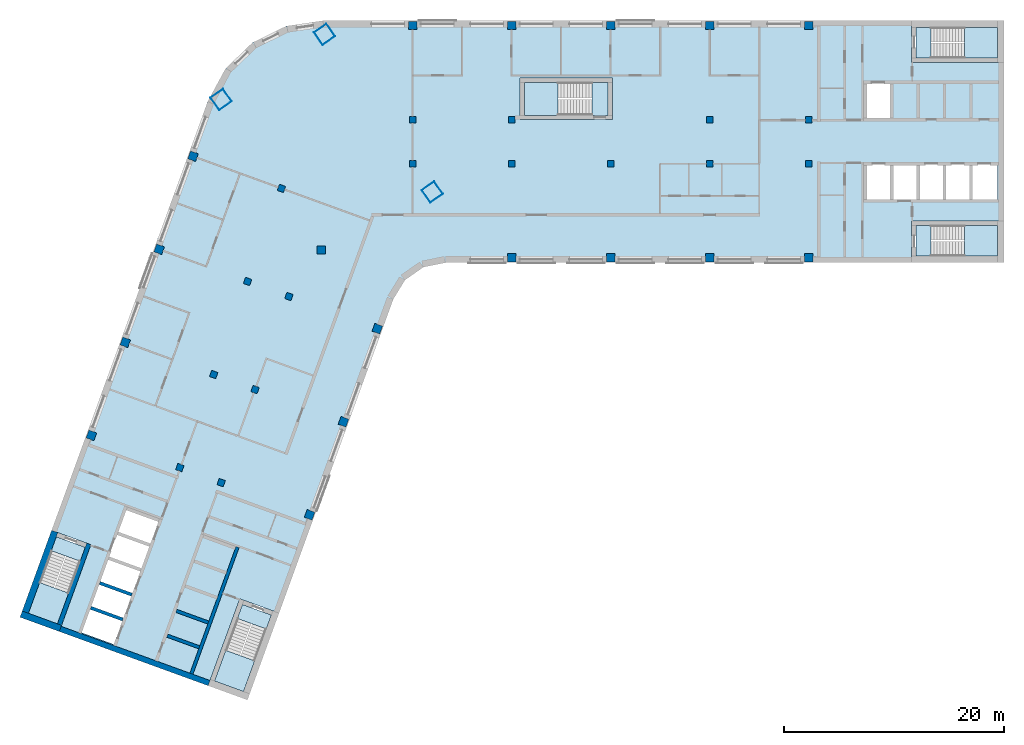
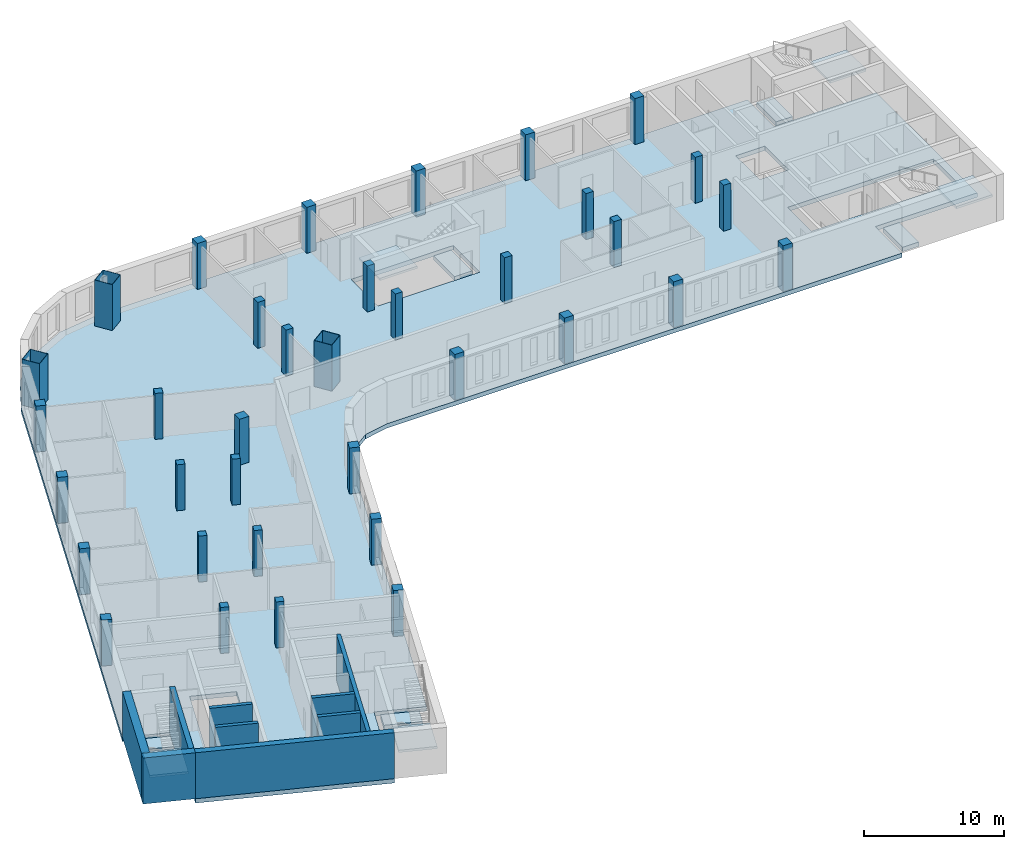
# One storey, part 1 of 8: 36 columns, 11 slabs, 9 walls, 5 elements without a shape of their own.
"""IFC4 building model written with IfcOpenShell, lengths in metres."""

from ifc_helpers import new_model, si_unit, direction, frame, frame_2d, origin, origin_2d, place, context, subcontext, project, spatial, polyline, rectangle, hollow_rectangle, outline, extrude, material, layer, layer_set, material_profile, profile_set, type_object, element, aggregate, save


model = new_model("IFC4")

# Units and contexts
model_context = context("Model", 3, precision=1e-05, world=origin(), true_north=direction((0.0, 1.0)))
body_context = subcontext(model_context, "Body", "Model", "MODEL_VIEW")
ifc_project = project(units=[si_unit("LENGTHUNIT", "METRE"), si_unit("AREAUNIT", "SQUARE_METRE"), si_unit("VOLUMEUNIT", "CUBIC_METRE"), si_unit("PLANEANGLEUNIT", "RADIAN"), si_unit("MASSUNIT", "GRAM", prefix="KILO")], contexts=[model_context])

# Site, building, storey
site_placement = place(None, origin())
site = spatial("IfcSite", under=ifc_project, at=site_placement, CompositionType="ELEMENT")
building_placement = place(site_placement, origin())
building = spatial("IfcBuilding", under=site, at=building_placement, Name="Skarvind Civic Tower", CompositionType="ELEMENT")
storey_placement = place(building_placement, frame((0.0, 0.0, 200.0)))
storey = spatial("IfcBuildingStorey", under=building, at=storey_placement, Name="L47", CompositionType="ELEMENT", Elevation=200.0)

# Columns
ifc_material_1 = material(Name="Concrete C60", Category="concrete")
ifc_material_profile_1 = material_profile(ifc_material_1, rectangle(XDim=0.60009765625, YDim=0.60009765625, at=origin_2d()), Name="RC-600x600")
ifc_profile_set_1 = profile_set([ifc_material_profile_1], Name="Concrete C60")
column_type_1 = type_object("IfcColumnType", Name="Column RC-600x600 C60", PredefinedType="COLUMN", material=ifc_profile_set_1)
for number, where, z_axis, x_axis, name in (
    (1, (54.25, 130.0, 0.0), (0.0, 0.0, 1.0), (1.0, 0.0, 0.0), "Column wing 1 north inner 02 L47"),
    (2, (63.25, 130.0, 0.0), (0.0, 0.0, 1.0), (1.0, 0.0, 0.0), "Column wing 1 north inner 03 L47"),
    (3, (81.25, 130.0, 0.0), (0.0, 0.0, 1.0), (1.0, 0.0, 0.0), "Column wing 1 north inner 05 L47"),
    (4, (90.25, 130.0, 0.0), (0.0, 0.0, 1.0), (1.0, 0.0, 0.0), "Column wing 1 north inner 06 L47"),
    (5, (54.25, 126.0, 0.0), (0.0, 0.0, 1.0), (1.0, 0.0, 0.0), "Column wing 1 south inner 02 L47"),
    (6, (63.25, 126.0, 0.0), (0.0, 0.0, 1.0), (1.0, 0.0, 0.0), "Column wing 1 south inner 03 L47"),
    (7, (72.25, 126.0, 0.0), (0.0, 0.0, 1.0), (1.0, 0.0, 0.0), "Column wing 1 south inner 04 L47"),
    (8, (81.25, 126.0, 0.0), (0.0, 0.0, 1.0), (1.0, 0.0, 0.0), "Column wing 1 south inner 05 L47"),
    (9, (90.25, 126.0, 0.0), (0.0, 0.0, 1.0), (1.0, 0.0, 0.0), "Column wing 1 south inner 06 L47"),
    (10, (43.005615234375, 113.92529296875, 0.0), (0.0, 0.0, 1.0), (-0.342020143326, -0.939692620786, 0.0), "Column wing 2 left inner 02 L47"),
    (11, (39.927490234375, 105.468017578125, 0.0), (0.0, 0.0, 1.0), (-0.342020143326, -0.939692620786, 0.0), "Column wing 2 left inner 03 L47"),
    (12, (36.84912109375, 97.010986328125, 0.0), (0.0, 0.0, 1.0), (-0.342020143326, -0.939692620786, 0.0), "Column wing 2 left inner 04 L47"),
    (13, (42.324951171875, 123.750732421875, 0.0), (0.0, 0.0, 1.0), (-0.342020143326, -0.939692620786, 0.0), "Column wing 2 right inner 01 L47"),
    (14, (39.246826171875, 115.29345703125, 0.0), (0.0, 0.0, 1.0), (-0.342020143326, -0.939692620786, 0.0), "Column wing 2 right inner 02 L47"),
    (15, (36.168701171875, 106.836181640625, 0.0), (0.0, 0.0, 1.0), (-0.342020143326, -0.939692620786, 0.0), "Column wing 2 right inner 03 L47"),
    (16, (33.090576171875, 98.37890625, 0.0), (0.0, 0.0, 1.0), (-0.342020143326, -0.939692620786, 0.0), "Column wing 2 right inner 04 L47"),
):
    element("IfcColumn", number, at=place(storey_placement, frame(where, z_axis=z_axis, x_axis=x_axis)), inside=storey, type_object=column_type_1, Name=name, PredefinedType="COLUMN", context=body_context, shape_type="SweptSolid", body=[
        extrude(rectangle(XDim=0.60009765625, YDim=0.60009765625, at=origin_2d()), origin(), (0.0, 0.0, 1.0), 4.0),
    ])
ifc_material_profile_2 = material_profile(ifc_material_1, rectangle(XDim=0.75, YDim=0.75, at=origin_2d()), Name="RC-750x750")
ifc_profile_set_2 = profile_set([ifc_material_profile_2], Name="Concrete C60")
column_type_2 = type_object("IfcColumnType", Name="Column RC-750x750 C60", PredefinedType="COLUMN", material=ifc_profile_set_2)
for number, where, z_axis, x_axis, name in (
    (17, (54.25, 138.550048828125, 0.0), (0.0, 0.0, 1.0), (1.0, 0.0, 0.0), "Column wing 1 north perimeter 02 L47"),
    (18, (63.25, 138.550048828125, 0.0), (0.0, 0.0, 1.0), (1.0, 0.0, 0.0), "Column wing 1 north perimeter 03 L47"),
    (19, (72.25, 138.550048828125, 0.0), (0.0, 0.0, 1.0), (1.0, 0.0, 0.0), "Column wing 1 north perimeter 04 L47"),
    (20, (81.25, 138.550048828125, 0.0), (0.0, 0.0, 1.0), (1.0, 0.0, 0.0), "Column wing 1 north perimeter 05 L47"),
    (21, (90.25, 138.550048828125, 0.0), (0.0, 0.0, 1.0), (1.0, 0.0, 0.0), "Column wing 1 north perimeter 06 L47"),
    (22, (45.95166015625, 118.151611328125, 0.0), (0.0, 0.0, 1.0), (1.0, 0.0, 0.0), "Column wing 1 south perimeter 01 L47"),
    (23, (63.25, 117.449951171875, 0.0), (0.0, 0.0, 1.0), (1.0, 0.0, 0.0), "Column wing 1 south perimeter 03 L47"),
    (24, (72.25, 117.449951171875, 0.0), (0.0, 0.0, 1.0), (1.0, 0.0, 0.0), "Column wing 1 south perimeter 04 L47"),
    (25, (81.25, 117.449951171875, 0.0), (0.0, 0.0, 1.0), (1.0, 0.0, 0.0), "Column wing 1 south perimeter 05 L47"),
    (26, (90.25, 117.449951171875, 0.0), (0.0, 0.0, 1.0), (1.0, 0.0, 0.0), "Column wing 1 south perimeter 06 L47"),
    (27, (51.0400390625, 111.0009765625, 0.0), (0.0, 0.0, 1.0), (-0.342020143326, -0.939692620786, 0.0), "Column wing 2 left perimeter 02 L47"),
    (28, (47.961669921875, 102.5439453125, 0.0), (0.0, 0.0, 1.0), (-0.342020143326, -0.939692620786, 0.0), "Column wing 2 left perimeter 03 L47"),
    (29, (44.883544921875, 94.086669921875, 0.0), (0.0, 0.0, 1.0), (-0.342020143326, -0.939692620786, 0.0), "Column wing 2 left perimeter 04 L47"),
    (30, (34.29052734375, 126.6748046875, 0.0), (0.0, 0.0, 1.0), (-0.342020143326, -0.939692620786, 0.0), "Column wing 2 right perimeter 01 L47"),
    (31, (31.21240234375, 118.2177734375, 0.0), (0.0, 0.0, 1.0), (-0.342020143326, -0.939692620786, 0.0), "Column wing 2 right perimeter 02 L47"),
    (32, (28.13427734375, 109.760498046875, 0.0), (0.0, 0.0, 1.0), (-0.342020143326, -0.939692620786, 0.0), "Column wing 2 right perimeter 03 L47"),
    (33, (25.05615234375, 101.30322265625, 0.0), (0.0, 0.0, 1.0), (-0.342020143326, -0.939692620786, 0.0), "Column wing 2 right perimeter 04 L47"),
):
    element("IfcColumn", number, at=place(storey_placement, frame(where, z_axis=z_axis, x_axis=x_axis)), inside=storey, type_object=column_type_2, Name=name, PredefinedType="COLUMN", context=body_context, shape_type="SweptSolid", body=[
        extrude(rectangle(XDim=0.75, YDim=0.75, at=origin_2d()), origin(), (0.0, 0.0, 1.0), 4.0),
    ])
ifc_material_2 = material(Name="Composite concrete-filled steel tube, Steel SM355 with Concrete C60", Category="concrete")
ifc_material_profile_3 = material_profile(ifc_material_2, hollow_rectangle(XDim=1.39990234375, YDim=1.39990234375, WallThickness=0.031982421875, at=origin_2d()), Name="BOX-1400x1400x32")
ifc_profile_set_3 = profile_set([ifc_material_profile_3], Name="Composite concrete-filled steel tube, Steel SM355 with Concrete C60")
column_type_3 = type_object("IfcColumnType", Name="Mega column BOX-1400x1400x32 filled C60", PredefinedType="COLUMN", material=ifc_profile_set_3)
for number, where, z_axis, x_axis, name in (
    (34, (36.845947265625, 131.837646484375, 0.0), (0.0, 0.0, 1.0), (0.573576436351, -0.819152044289, 0.0), "Mega column 1 L47"),
    (35, (46.2470703125, 137.762451171875, 0.0), (0.0, 0.0, 1.0), (0.573576436351, -0.819152044289, 0.0), "Mega column 2 L47"),
    (36, (56.0361328125, 123.43017578125, 0.0), (0.0, 0.0, 1.0), (0.573576436351, -0.819152044289, 0.0), "Mega column 4 L47"),
):
    element("IfcColumn", number, at=place(storey_placement, frame(where, z_axis=z_axis, x_axis=x_axis)), inside=storey, type_object=column_type_3, Name=name, PredefinedType="COLUMN", context=body_context, shape_type="SweptSolid", body=[
        extrude(hollow_rectangle(XDim=1.39990234375, YDim=1.39990234375, WallThickness=0.031982421875, at=origin_2d()), origin(), (0.0, 0.0, 1.0), 4.0),
    ])

# Slabs
ifc_material_3 = material(Name="Concrete C50", Category="concrete")
ifc_layer_1 = layer(ifc_material_3, 0.375)
ifc_layer_set_1 = layer_set([ifc_layer_1], Name="Floor slab 375 C50")
slab_type_1 = type_object("IfcSlabType", Name="Floor slab 375 C50", PredefinedType="FLOOR", material=ifc_layer_set_1)
slab_1_placement = place(storey_placement, frame((0.0, 0.0, -0.375)))
element("IfcSlab", 37, at=slab_1_placement, inside=storey, type_object=slab_type_1, Name="Floor slab L47 1", PredefinedType="FLOOR", context=body_context, shape_type="SweptSolid", body=[
    extrude(outline(polyline([(99.60009765625, 117.0), (99.60009765625, 120.800048828125), (108.0, 120.800048828125), (108.0, 135.199951171875), (99.60009765625, 135.199951171875), (99.60009765625, 139.0), (46.095458984375, 139.0), (42.739501953125, 138.5009765625), (39.6943359375, 137.005615234375), (37.24755859375, 134.6552734375), (35.630615234375, 131.672607421875), (19.41748046875, 87.126708984375), (21.435302734375, 92.6708984375), (25.006103515625, 91.371337890625), (22.13330078125, 83.477783203125), (36.886474609375, 78.108154296875), (35.664794921875, 78.552734375), (38.53759765625, 86.4462890625), (42.108642578125, 85.146484375), (40.0908203125, 79.602294921875), (40.0908203125, 79.602294921875), (52.493896484375, 113.68017578125), (53.560791015625, 115.421630859375), (55.23388671875, 116.593017578125), (57.235107421875, 117.0), (99.60009765625, 117.0)]), holes=[polyline([(25.671630859375, 87.9365234375), (26.492431640625, 90.19189453125), (27.313232421875, 92.447021484375), (28.134033203125, 94.702392578125), (31.3291015625, 93.53955078125), (30.50830078125, 91.2841796875), (29.6875, 89.029052734375), (28.866455078125, 86.773681640625), (28.866455078125, 86.773681640625), (28.045654296875, 84.5185546875), (27.224853515625, 82.26318359375), (24.02978515625, 83.426025390625), (24.8505859375, 85.681396484375), (25.671630859375, 87.9365234375), (25.671630859375, 87.9365234375)]), polyline([(64.0, 130.0), (64.0, 133.800048828125), (72.39990234375, 133.800048828125), (72.39990234375, 130.0), (64.0, 130.0)]), polyline([(97.800048828125, 126.0), (100.199951171875, 126.0), (102.60009765625, 126.0), (105.0, 126.0), (107.39990234375, 126.0), (107.39990234375, 122.60009765625), (105.0, 122.60009765625), (102.60009765625, 122.60009765625), (100.199951171875, 122.60009765625), (97.800048828125, 122.60009765625), (95.39990234375, 122.60009765625), (95.39990234375, 126.0), (97.800048828125, 126.0)]), polyline([(97.800048828125, 133.39990234375), (97.800048828125, 130.0), (95.39990234375, 130.0), (95.39990234375, 133.39990234375), (97.800048828125, 133.39990234375)])]), origin(), (0.0, 0.0, 1.0), 0.375),
])
ifc_material_4 = material(Name="Concrete C40/50", Category="concrete")
ifc_layer_2 = layer(ifc_material_4, 0.375)
ifc_layer_set_2 = layer_set([ifc_layer_2], Name="Stair floor landing slab 375")
slab_type_2 = type_object("IfcSlabType", Name="Stair floor landing slab 375", PredefinedType="LANDING", material=ifc_layer_set_2)
slab_2_placement = place(storey_placement, frame((0.0, 0.0, -0.375)))
element("IfcSlab", 38, at=slab_2_placement, inside=storey, type_object=slab_type_2, Name="Stair floor landing", PredefinedType="LANDING", context=body_context, shape_type="SweptSolid", body=[
    extrude(outline(polyline([(101.3505859375, 138.400634765625), (101.3505859375, 135.599365234375), (99.99951171875, 135.599365234375), (99.99951171875, 138.400634765625), (101.3505859375, 138.400634765625)])), origin(), (0.0, 0.0, 1.0), 0.375),
])
slab_3_placement = place(storey_placement, frame((0.0, 0.0, -0.375)))
element("IfcSlab", 39, at=slab_3_placement, inside=storey, type_object=slab_type_2, Name="Stair floor landing", PredefinedType="LANDING", context=body_context, shape_type="SweptSolid", body=[
    extrude(outline(polyline([(101.3505859375, 120.400634765625), (101.3505859375, 117.599365234375), (99.99951171875, 117.599365234375), (99.99951171875, 120.400634765625), (101.3505859375, 120.400634765625)])), origin(), (0.0, 0.0, 1.0), 0.375),
])
slab_4_placement = place(storey_placement, frame((0.0, 0.0, -0.375)))
element("IfcSlab", 40, at=slab_4_placement, inside=storey, type_object=slab_type_2, Name="Stair floor landing", PredefinedType="LANDING", context=body_context, shape_type="SweptSolid", body=[
    extrude(outline(polyline([(40.946533203125, 83.70654296875), (38.314208984375, 84.66455078125), (38.7763671875, 85.934326171875), (41.40869140625, 84.976318359375), (40.946533203125, 83.70654296875)])), origin(), (0.0, 0.0, 1.0), 0.375),
])
slab_5_placement = place(storey_placement, frame((0.0, 0.0, -0.375)))
element("IfcSlab", 41, at=slab_5_placement, inside=storey, type_object=slab_type_2, Name="Stair floor landing", PredefinedType="LANDING", context=body_context, shape_type="SweptSolid", body=[
    extrude(outline(polyline([(24.0322265625, 89.863037109375), (21.39990234375, 90.821044921875), (21.862060546875, 92.090576171875), (24.494384765625, 91.132568359375), (24.0322265625, 89.863037109375)])), origin(), (0.0, 0.0, 1.0), 0.375),
])
slab_6_placement = place(storey_placement, frame((0.0, 0.0, -0.375)))
element("IfcSlab", 42, at=slab_6_placement, inside=storey, type_object=slab_type_2, Name="Stair floor landing", PredefinedType="LANDING", context=body_context, shape_type="SweptSolid", body=[
    extrude(outline(polyline([(70.54931640625, 130.3994140625), (70.54931640625, 133.400634765625), (72.00048828125, 133.400634765625), (72.00048828125, 130.3994140625), (70.54931640625, 130.3994140625)])), origin(), (0.0, 0.0, 1.0), 0.375),
])

# Stair, slab
stair_type_1 = type_object("IfcStairType", Name="Exit stair, half-turn, concrete", PredefinedType="HALF_TURN_STAIR", material=ifc_material_4)
stair_1_placement = place(storey_placement, origin())
stair_1 = element("IfcStair", 43, at=stair_1_placement, inside=storey, type_object=stair_type_1, Name="Exit stair C1S", PredefinedType="HALF_TURN_STAIR")
ifc_layer_3 = layer(ifc_material_4, 0.199951171875)
ifc_layer_set_3 = layer_set([ifc_layer_3], Name="Stair half landing slab")
slab_type_3 = type_object("IfcSlabType", Name="Stair half landing slab", PredefinedType="LANDING", material=ifc_layer_set_3)
slab_7_placement = place(storey_placement, frame((0.0, 0.0, 1.800048828125)))
slab_7 = element("IfcSlab", 44, at=slab_7_placement, type_object=slab_type_3, Name="ST-C1S landing 1", PredefinedType="LANDING", context=body_context, shape_type="SweptSolid", body=[
    extrude(outline(polyline([(104.429443359375, 135.599365234375), (104.429443359375, 138.400634765625), (107.400634765625, 138.400634765625), (107.400634765625, 135.599365234375), (104.429443359375, 135.599365234375)])), origin(), (0.0, 0.0, 1.0), 0.199951171875),
])
aggregate(stair_1, [slab_7])

stair_2_placement = place(storey_placement, origin())
stair_2 = element("IfcStair", 45, at=stair_2_placement, inside=storey, type_object=stair_type_1, Name="Exit stair C1N", PredefinedType="HALF_TURN_STAIR")
slab_8_placement = place(storey_placement, frame((0.0, 0.0, 1.800048828125)))
slab_8 = element("IfcSlab", 46, at=slab_8_placement, type_object=slab_type_3, Name="ST-C1N landing 1", PredefinedType="LANDING", context=body_context, shape_type="SweptSolid", body=[
    extrude(outline(polyline([(104.429443359375, 117.599365234375), (104.429443359375, 120.400634765625), (107.400634765625, 120.400634765625), (107.400634765625, 117.599365234375), (104.429443359375, 117.599365234375)])), origin(), (0.0, 0.0, 1.0), 0.199951171875),
])
aggregate(stair_2, [slab_8])

stair_3_placement = place(storey_placement, origin())
stair_3 = element("IfcStair", 47, at=stair_3_placement, inside=storey, type_object=stair_type_1, Name="Exit stair C2S", PredefinedType="HALF_TURN_STAIR")
slab_9_placement = place(storey_placement, frame((0.0, 0.0, 1.800048828125)))
slab_9 = element("IfcSlab", 48, at=slab_9_placement, type_object=slab_type_3, Name="ST-C2S landing 1", PredefinedType="LANDING", context=body_context, shape_type="SweptSolid", body=[
    extrude(outline(polyline([(37.26123046875, 81.771484375), (39.8935546875, 80.8134765625), (38.87744140625, 78.021484375), (36.2451171875, 78.9794921875), (37.26123046875, 81.771484375)])), origin(), (0.0, 0.0, 1.0), 0.199951171875),
])
aggregate(stair_3, [slab_9])

stair_4_placement = place(storey_placement, origin())
stair_4 = element("IfcStair", 49, at=stair_4_placement, inside=storey, type_object=stair_type_1, Name="Exit stair C2N", PredefinedType="HALF_TURN_STAIR")
slab_10_placement = place(storey_placement, frame((0.0, 0.0, 1.800048828125)))
slab_10 = element("IfcSlab", 50, at=slab_10_placement, type_object=slab_type_3, Name="ST-C2N landing 1", PredefinedType="LANDING", context=body_context, shape_type="SweptSolid", body=[
    extrude(outline(polyline([(20.346923828125, 87.927734375), (22.97900390625, 86.9697265625), (21.962890625, 84.177734375), (19.33056640625, 85.1357421875), (20.346923828125, 87.927734375)])), origin(), (0.0, 0.0, 1.0), 0.199951171875),
])
aggregate(stair_4, [slab_10])

stair_type_2 = type_object("IfcStairType", Name="Exit stair 1450, half-turn, concrete", PredefinedType="HALF_TURN_STAIR", material=ifc_material_4)
stair_5_placement = place(storey_placement, origin())
stair_5 = element("IfcStair", 51, at=stair_5_placement, inside=storey, type_object=stair_type_2, Name="Exit stair CM", PredefinedType="HALF_TURN_STAIR")
slab_11_placement = place(storey_placement, frame((0.0, 0.0, 1.800048828125)))
slab_11 = element("IfcSlab", 52, at=slab_11_placement, type_object=slab_type_3, Name="ST-CM landing 1", PredefinedType="LANDING", context=body_context, shape_type="SweptSolid", body=[
    extrude(outline(polyline([(67.470703125, 133.400634765625), (67.470703125, 130.3994140625), (64.3994140625, 130.3994140625), (64.3994140625, 133.400634765625), (67.470703125, 133.400634765625)])), origin(), (0.0, 0.0, 1.0), 0.199951171875),
])
aggregate(stair_5, [slab_11])

# Walls
ifc_layer_4 = layer(ifc_material_1, 0.300048828125)
ifc_layer_set_4 = layer_set([ifc_layer_4], Name="Core wall 300 C60")
wall_type_1 = type_object("IfcWallType", Name="Core wall 300 C60", PredefinedType="SHEAR", material=ifc_layer_set_4)
wall_1_placement = place(storey_placement, frame((34.144287109375, 79.638427734375, 0.0), z_axis=(0.0, 0.0, 1.0), x_axis=(0.342016684409, 0.939693879721, 0.0)))
element("IfcWall", 53, at=wall_1_placement, inside=storey, type_object=wall_type_1, Name="Core wall C2 south lift row back L47", PredefinedType="SHEAR", context=body_context, shape_type="SweptSolid", body=[
    extrude(rectangle(XDim=12.25, YDim=0.300048828125, at=frame_2d((6.125, 0.0))), origin(), (0.0, 0.0, 1.0), 4.0),
])
wall_2_placement = place(storey_placement, frame((34.8583984375, 82.038818359375, 0.0), z_axis=(0.0, 0.0, 1.0), x_axis=(-0.939689908313, 0.342027595692, 0.0)))
element("IfcWall", 54, at=wall_2_placement, inside=storey, type_object=wall_type_1, Name="Core wall C2 south lift row division 1 L47", PredefinedType="SHEAR", context=body_context, shape_type="SweptSolid", body=[
    extrude(rectangle(XDim=3.10009765625, YDim=0.300048828125, at=frame_2d((1.550048828125, 0.0))), origin(), (0.0, 0.0, 1.0), 4.0),
])
wall_3_placement = place(storey_placement, frame((35.67919921875, 84.294189453125, 0.0), z_axis=(0.0, 0.0, 1.0), x_axis=(-0.939706007505, 0.341983361377, 0.0)))
element("IfcWall", 55, at=wall_3_placement, inside=storey, type_object=wall_type_1, Name="Core wall C2 south lift row division 2 L47", PredefinedType="SHEAR", context=body_context, shape_type="SweptSolid", body=[
    extrude(rectangle(XDim=3.099853515625, YDim=0.300048828125, at=frame_2d((1.5498046875, 0.0))), origin(), (0.0, 0.0, 1.0), 4.0),
])
for number, where, z_axis, x_axis, name in (
    (56, (27.90478515625, 84.56982421875, 0.0), (0.0, 0.0, 1.0), (-0.939689908313, 0.342027595692, 0.0), "Core wall C2 north lift row division 1 L47"),
    (57, (28.7255859375, 86.824951171875, 0.0), (0.0, 0.0, 1.0), (-0.939689908313, 0.342027595692, 0.0), "Core wall C2 north lift row division 2 L47"),
):
    element("IfcWall", number, at=place(storey_placement, frame(where, z_axis=z_axis, x_axis=x_axis)), inside=storey, type_object=wall_type_1, Name=name, PredefinedType="SHEAR", context=body_context, shape_type="SweptSolid", body=[
        extrude(rectangle(XDim=3.10009765625, YDim=0.300048828125, at=frame_2d((1.550048828125, 0.0))), origin(), (0.0, 0.0, 1.0), 4.0),
    ])
ifc_layer_5 = layer(ifc_material_1, 0.39990234375)
ifc_layer_set_5 = layer_set([ifc_layer_5], Name="Core wall 400 C60")
wall_type_2 = type_object("IfcWallType", Name="Core wall 400 C60", PredefinedType="SHEAR", material=ifc_layer_set_5)
wall_4_placement = place(storey_placement, frame((22.150390625, 84.110107421875, 0.0), z_axis=(0.0, 0.0, 1.0), x_axis=(0.342016982193, 0.939693771338, 0.0)))
element("IfcWall", 58, at=wall_4_placement, inside=storey, type_object=wall_type_2, Name="Core wall C2 north stair inner L47", PredefinedType="SHEAR", context=body_context, shape_type="SweptSolid", body=[
    extrude(rectangle(XDim=7.800048828125, YDim=0.39990234375, at=frame_2d((3.89990234375, 0.0))), origin(), (0.0, 0.0, 1.0), 4.0),
])
ifc_layer_6 = layer(ifc_material_1, 0.5)
ifc_layer_set_6 = layer_set([ifc_layer_6], Name="Core wall 500 C60")
wall_type_3 = type_object("IfcWallType", Name="Core wall 500 C60", PredefinedType="SHEAR", material=ifc_layer_set_6)
wall_5_placement = place(storey_placement, frame((35.750244140625, 78.787841796875, 0.0), z_axis=(0.0, 0.0, 1.0), x_axis=(-0.939692894512, 0.342019391267, 0.0)))
element("IfcWall", 59, at=wall_5_placement, inside=storey, type_object=wall_type_3, Name="Core wall C2 tip between the stairs L47", PredefinedType="SHEAR", context=body_context, shape_type="SweptSolid", body=[
    extrude(rectangle(XDim=14.39990234375, YDim=0.5, at=frame_2d((7.199951171875, 0.0))), origin(), (0.0, 0.0, 1.0), 4.0),
])
ifc_layer_7 = layer(ifc_material_1, 0.60009765625)
ifc_layer_set_7 = layer_set([ifc_layer_7], Name="Core wall 600 C60")
wall_type_4 = type_object("IfcWallType", Name="Core wall 600 C60", PredefinedType="SHEAR", material=ifc_layer_set_7)
wall_6_placement = place(storey_placement, frame((22.23583984375, 83.759765625, 0.0), z_axis=(0.0, 0.0, 1.0), x_axis=(-0.939680822529, 0.342052557032, 0.0)))
element("IfcWall", 60, at=wall_6_placement, inside=storey, type_object=wall_type_4, Name="Core wall C2 tip at the north stair L47", PredefinedType="SHEAR", context=body_context, shape_type="SweptSolid", body=[
    extrude(rectangle(XDim=3.800048828125, YDim=0.60009765625, at=frame_2d((1.89990234375, 0.0))), origin(), (0.0, 0.0, 1.0), 4.0),
])
wall_7_placement = place(storey_placement, frame((19.049560546875, 85.23876953125, 0.0), z_axis=(0.0, 0.0, 1.0), x_axis=(0.342016982193, 0.939693771338, 0.0)))
element("IfcWall", 61, at=wall_7_placement, inside=storey, type_object=wall_type_4, Name="Core wall C2 north side at the stair L47", PredefinedType="SHEAR", context=body_context, shape_type="SweptSolid", body=[
    extrude(rectangle(XDim=7.800048828125, YDim=0.60009765625, at=frame_2d((3.89990234375, 0.0))), origin(), (0.0, 0.0, 1.0), 4.0),
])

save(model, "model.ifc")
